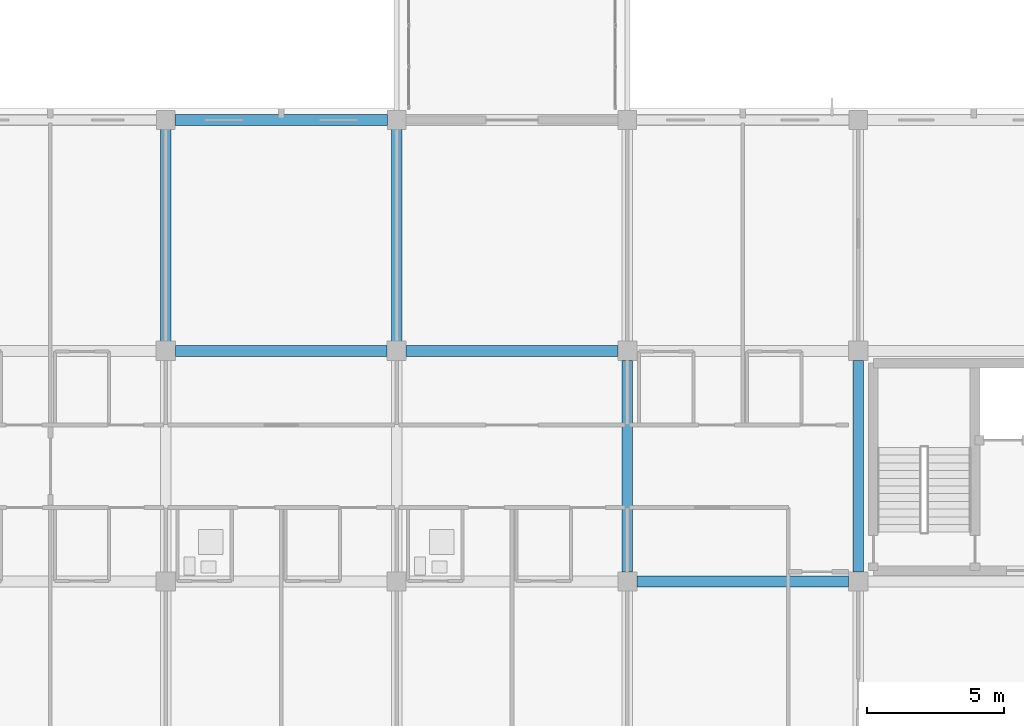
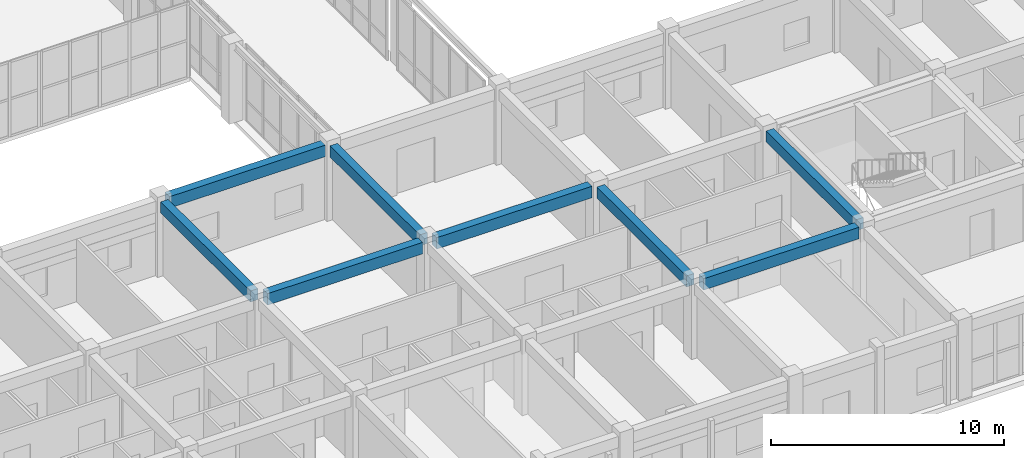
# One storey, part 26 of 140: 8 beams.
"""IFC4 building model written with IfcOpenShell, lengths in metres."""

from ifc_helpers import new_model, si_unit, direction, frame, origin, origin_2d, place, context, subcontext, project, spatial, rectangle, extrude, material, material_profile, profile_set, type_object, element, save


model = new_model("IFC4")

# Units and contexts
model_context = context("Model", 3, precision=1e-05, world=origin(), true_north=direction((0.0, 1.0)))
body_context = subcontext(model_context, "Body", "Model", "MODEL_VIEW")
ifc_project = project(units=[si_unit("LENGTHUNIT", "METRE"), si_unit("AREAUNIT", "SQUARE_METRE"), si_unit("VOLUMEUNIT", "CUBIC_METRE"), si_unit("PLANEANGLEUNIT", "RADIAN"), si_unit("MASSUNIT", "GRAM", prefix="KILO")], contexts=[model_context])

# Site, building, storey
site_placement = place(None, origin())
site = spatial("IfcSite", under=ifc_project, at=site_placement, CompositionType="ELEMENT")
building_placement = place(site_placement, origin())
building = spatial("IfcBuilding", under=site, at=building_placement, Name="Trelvath General Hospital", CompositionType="ELEMENT")
storey_placement = place(building_placement, frame((0.0, 0.0, 16.199951171875)))
storey = spatial("IfcBuildingStorey", under=building, at=storey_placement, Name="L04", CompositionType="ELEMENT", Elevation=16.199951171875)

# Beams
ifc_material_1 = material(Name="Concrete C35/45", Category="concrete")
ifc_material_profile_1 = material_profile(ifc_material_1, rectangle(XDim=0.3798828125, YDim=0.580078125, at=origin_2d()), Name="RCB380x580")
ifc_profile_set_1 = profile_set([ifc_material_profile_1], Name="Concrete C35/45")
beam_type_1 = type_object("IfcBeamType", Name="Beam RC380x580", PredefinedType="BEAM", material=ifc_profile_set_1)
for number, where, z_axis, x_axis, name in (
    (1, (67.199951171875, 17.14501953125, 3.630126953125), (0.0, 1.0, 0.0), (-1.0, 0.0, 0.0), "Grid Beam BY-408C"),
    (2, (75.60009765625, 17.14501953125, 3.630126953125), (0.0, 1.0, 0.0), (-1.0, 0.0, 0.0), "Grid Beam BY-409C"),
):
    element("IfcBeam", number, at=place(storey_placement, frame(where, z_axis=z_axis, x_axis=x_axis)), inside=storey, type_object=beam_type_1, Name=name, PredefinedType="BEAM", context=body_context, shape_type="SweptSolid", body=[
        extrude(rectangle(XDim=0.3798828125, YDim=0.580078125, at=origin_2d()), origin(), (0.0, 0.0, 1.0), 7.719970703125),
    ])
for number, where, z_axis, x_axis, name in (
    (3, (84.0, 8.7451171875, 3.630126953125), (0.0, 1.0, 0.0), (-1.0, 0.0, 0.0), "Grid Beam BY-410B"),
    (4, (92.39990234375, 8.7451171875, 3.630126953125), (0.0, 1.0, 0.0), (-1.0, 0.0, 0.0), "Grid Beam BY-411B"),
):
    element("IfcBeam", number, at=place(storey_placement, frame(where, z_axis=z_axis, x_axis=x_axis)), inside=storey, type_object=beam_type_1, Name=name, PredefinedType="BEAM", context=body_context, shape_type="SweptSolid", body=[
        extrude(rectangle(XDim=0.3798828125, YDim=0.580078125, at=origin_2d()), origin(), (0.0, 0.0, 1.0), 7.7099609375),
    ])
ifc_material_2 = material(Name="Concrete C35/45", Category="concrete")
ifc_material_profile_2 = material_profile(ifc_material_2, rectangle(XDim=0.39990234375, YDim=0.60009765625, at=origin_2d()), Name="RCB400x600")
ifc_profile_set_2 = profile_set([ifc_material_profile_2], Name="Concrete C35/45")
beam_type_2 = type_object("IfcBeamType", Name="Beam RC400x600", PredefinedType="BEAM", material=ifc_profile_set_2)
beam_1_placement = place(storey_placement, frame((67.544921875, 16.800048828125, 3.6201171875), z_axis=(1.0, 0.0, 0.0), x_axis=(0.0, 1.0, 0.0)))
element("IfcBeam", 5, at=beam_1_placement, inside=storey, type_object=beam_type_2, Name="Grid Beam BX-408C", PredefinedType="BEAM", context=body_context, shape_type="SweptSolid", body=[
    extrude(rectangle(XDim=0.39990234375, YDim=0.60009765625, at=origin_2d()), origin(), (0.0, 0.0, 1.0), 7.7099609375),
])
beam_2_placement = place(storey_placement, frame((67.534912109375, 25.199951171875, 3.6201171875), z_axis=(1.0, 0.0, 0.0), x_axis=(0.0, 1.0, 0.0)))
element("IfcBeam", 6, at=beam_2_placement, inside=storey, type_object=beam_type_2, Name="Grid Beam BX-408D", PredefinedType="BEAM", context=body_context, shape_type="SweptSolid", body=[
    extrude(rectangle(XDim=0.39990234375, YDim=0.60009765625, at=origin_2d()), origin(), (0.0, 0.0, 1.0), 7.72998046875),
])
for number, where, z_axis, x_axis, name in (
    (7, (75.945068359375, 16.800048828125, 3.6201171875), (1.0, 0.0, 0.0), (0.0, 1.0, 0.0), "Grid Beam BX-409C"),
    (8, (84.344970703125, 8.39990234375, 3.6201171875), (1.0, 0.0, 0.0), (0.0, 1.0, 0.0), "Grid Beam BX-410B"),
):
    element("IfcBeam", number, at=place(storey_placement, frame(where, z_axis=z_axis, x_axis=x_axis)), inside=storey, type_object=beam_type_2, Name=name, PredefinedType="BEAM", context=body_context, shape_type="SweptSolid", body=[
        extrude(rectangle(XDim=0.39990234375, YDim=0.60009765625, at=origin_2d()), origin(), (0.0, 0.0, 1.0), 7.7099609375),
    ])

save(model, "model.ifc")
